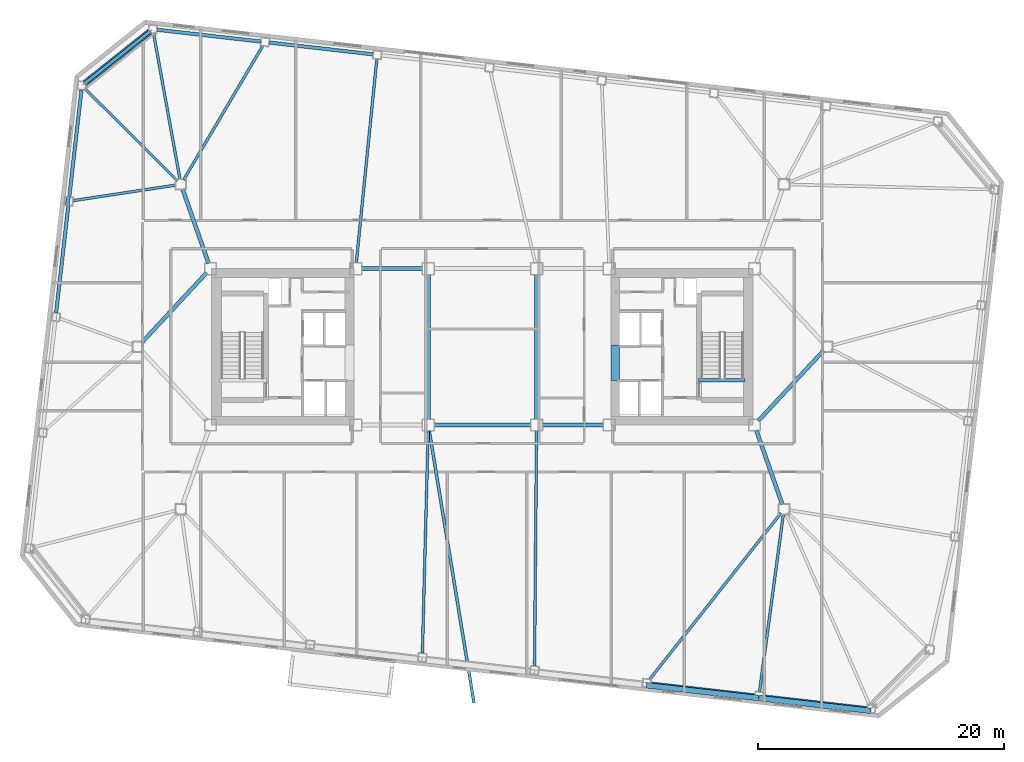
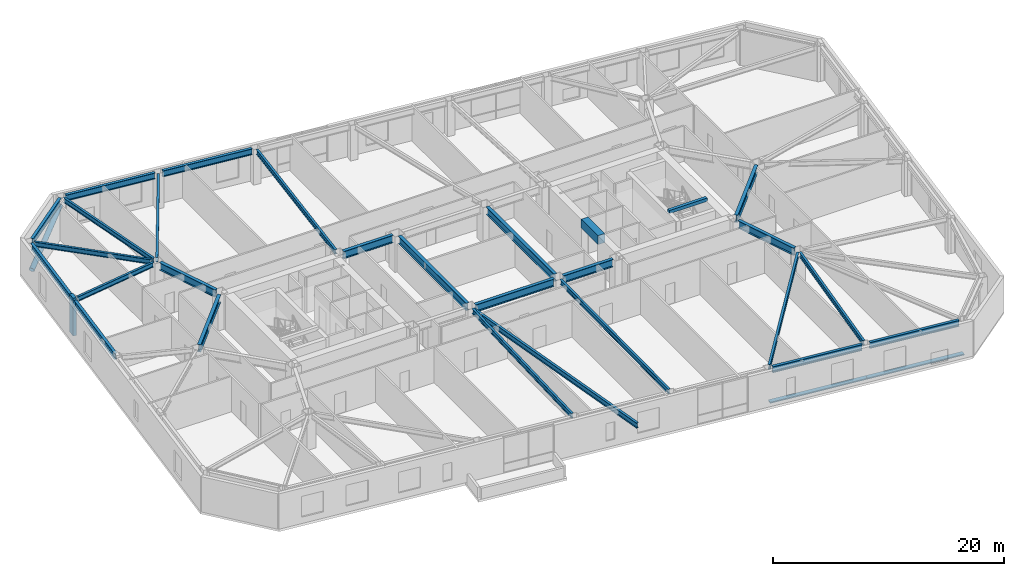
# One storey, part 5 of 20: 28 beams, 4 members.
"""IFC4 building model written with IfcOpenShell, lengths in metres."""

from ifc_helpers import new_model, si_unit, direction, frame, origin, origin_2d, place, context, subcontext, project, spatial, rectangle, hollow_circle, i_section, extrude, material, material_profile, profile_set, type_object, element, save


model = new_model("IFC4")

# Units and contexts
model_context = context("Model", 3, precision=1e-05, world=origin(), true_north=direction((0.0, 1.0)))
body_context = subcontext(model_context, "Body", "Model", "MODEL_VIEW")
ifc_project = project(units=[si_unit("LENGTHUNIT", "METRE"), si_unit("AREAUNIT", "SQUARE_METRE"), si_unit("VOLUMEUNIT", "CUBIC_METRE"), si_unit("PLANEANGLEUNIT", "RADIAN"), si_unit("MASSUNIT", "GRAM", prefix="KILO")], contexts=[model_context])

# Site, building, storey
site_placement = place(None, origin())
site = spatial("IfcSite", under=ifc_project, at=site_placement, CompositionType="ELEMENT")
building_placement = place(site_placement, origin())
building = spatial("IfcBuilding", under=site, at=building_placement, Name="Tavrogorsk Clinical Tower", CompositionType="ELEMENT")
storey_placement = place(building_placement, frame((0.0, 0.0, 105.39990234375)))
storey = spatial("IfcBuildingStorey", under=building, at=storey_placement, Name="L23", CompositionType="ELEMENT", Elevation=105.39990234375)

# Members
ifc_material_1 = material(Name="Anodised aluminium alloy AW-6063", Category="aluminium")
ifc_material_profile_1 = material_profile(ifc_material_1, rectangle(XDim=0.449951171875, YDim=0.1201171875, at=origin_2d()), Name="ALU-SUNSHADE-450x120")
ifc_profile_set_1 = profile_set([ifc_material_profile_1], Name="Anodised aluminium alloy AW-6063")
member_type_1 = type_object("IfcMemberType", Name="ChicagoSunshade_450x120", PredefinedType="USERDEFINED", material=ifc_profile_set_1)
for number, where, z_axis, x_axis, name in (
    (1, (13.326416015625, -27.502197265625, 0.18017578125), (0.993572654864, -0.113196199166, 0.0), (0.113196199166, 0.993572654864, 0.0), "L23 South Aluminium Sunshade S6"),
    (2, (22.444580078125, -28.541015625, 0.18017578125), (0.993572654864, -0.113196199166, 0.0), (0.113196199166, 0.993572654864, 0.0), "L23 South Aluminium Sunshade S7"),
):
    element("IfcMember", number, at=place(storey_placement, frame(where, z_axis=z_axis, x_axis=x_axis)), inside=storey, type_object=member_type_1, Name=name, ObjectType="SUNSHADE", PredefinedType="USERDEFINED", context=body_context, shape_type="SweptSolid", body=[
        extrude(rectangle(XDim=0.449951171875, YDim=0.1201171875, at=origin_2d()), origin(), (0.0, 0.0, 1.0), 9.17724609375),
    ])

# Beam
ifc_material_2 = material(Name="Concrete B80", Category="concrete")
ifc_material_profile_2 = material_profile(ifc_material_2, rectangle(XDim=0.699951171875, YDim=0.949951171875, at=origin_2d()), Name="RC-CB-700x950")
ifc_profile_set_2 = profile_set([ifc_material_profile_2], Name="Concrete B80")
beam_type_1 = type_object("IfcBeamType", Name="CouplingBeam_RC700x950", PredefinedType="LINTEL", material=ifc_profile_set_2)
beam_1_placement = place(storey_placement, frame((10.800048828125, -2.75, 3.26513671875), z_axis=(0.0, 1.0, 0.0), x_axis=(-1.0, 0.0, 0.0)))
element("IfcBeam", 3, at=beam_1_placement, inside=storey, type_object=beam_type_1, Name="L23 Core East Coupling Beam", PredefinedType="LINTEL", context=body_context, shape_type="SweptSolid", body=[
    extrude(rectangle(XDim=0.699951171875, YDim=0.949951171875, at=origin_2d()), origin(), (0.0, 0.0, 1.0), 2.89990234375),
])

# Member
ifc_material_3 = material(Name="Structural steel S440", Category="steel")
ifc_material_profile_3 = material_profile(ifc_material_3, hollow_circle(Radius=0.25390625, WallThickness=0.02001953125, at=origin_2d()), Name="CHS-508x20")
ifc_profile_set_3 = profile_set([ifc_material_profile_3], Name="Structural steel S440")
member_type_2 = type_object("IfcMemberType", Name="ExoBrace_CHS508", PredefinedType="BRACE", material=ifc_profile_set_3)
member_1_placement = place(storey_placement, frame((-32.27587890625, 21.431884765625, 0.425048828125), z_axis=(0.73336936718, 0.583326985798, 0.349140371371), x_axis=(-0.622500682662, 0.782619256143, 0.0)))
element("IfcMember", 4, at=member_1_placement, inside=storey, type_object=member_type_2, Name="L23 Corner Exoskeleton Brace N8-W1", PredefinedType="BRACE", context=body_context, shape_type="SweptSolid", body=[
    extrude(hollow_circle(Radius=0.25390625, WallThickness=0.02001953125, at=origin_2d()), origin(), (0.0, 0.0, 1.0), 7.1318359375),
])

# Beams
ifc_material_4 = material(Name="Structural steel S355", Category="steel")
ifc_material_profile_4 = material_profile(ifc_material_4, i_section(OverallWidth=0.219970703125, OverallDepth=0.5, WebThickness=0.012939453125, FlangeThickness=0.02001953125, at=origin_2d()), Name="B-500x220x13x20")
ifc_profile_set_4 = profile_set([ifc_material_profile_4], Name="Structural steel S355")
beam_type_2 = type_object("IfcBeamType", Name="FloorBeam_B500", PredefinedType="BEAM", material=ifc_profile_set_4)
beam_2_placement = place(storey_placement, frame((-4.411865234375, -6.809814453125, 3.489990234375), z_axis=(-0.025907273598, -0.999664350257, 0.0), x_axis=(0.999664350257, -0.025907273598, 0.0)))
element("IfcBeam", 5, at=beam_2_placement, inside=storey, type_object=beam_type_2, Name="L23 Radial Floor Beam S4", PredefinedType="BEAM", context=body_context, shape_type="SweptSolid", body=[
    extrude(i_section(OverallWidth=0.219970703125, OverallDepth=0.5, WebThickness=0.012939453125, FlangeThickness=0.02001953125, at=origin_2d()), origin(), (0.0, 0.0, 1.0), 18.083984375),
])
beam_3_placement = place(storey_placement, frame((4.39599609375, -6.81005859375, 3.489990234375), z_axis=(-0.00859471964, -0.999963064715, 0.0), x_axis=(0.999963064715, -0.00859471964, 0.0)))
element("IfcBeam", 6, at=beam_3_placement, inside=storey, type_object=beam_type_2, Name="L23 Radial Floor Beam S5", PredefinedType="BEAM", context=body_context, shape_type="SweptSolid", body=[
    extrude(i_section(OverallWidth=0.219970703125, OverallDepth=0.5, WebThickness=0.012939453125, FlangeThickness=0.02001953125, at=origin_2d()), origin(), (0.0, 0.0, 1.0), 19.1171875),
])
beam_4_placement = place(storey_placement, frame((24.245849609375, -13.521728515625, 3.489990234375), z_axis=(-0.619757312108, -0.784793523221, 0.0), x_axis=(0.784793523221, -0.619757312108, 0.0)))
element("IfcBeam", 7, at=beam_4_placement, inside=storey, type_object=beam_type_2, Name="L23 Radial Floor Beam S6", PredefinedType="BEAM", context=body_context, shape_type="SweptSolid", body=[
    extrude(i_section(OverallWidth=0.219970703125, OverallDepth=0.5, WebThickness=0.012939453125, FlangeThickness=0.02001953125, at=origin_2d()), origin(), (0.0, 0.0, 1.0), 17.22802734375),
])
beam_5_placement = place(storey_placement, frame((24.445556640625, -13.6064453125, 3.489990234375), z_axis=(-0.133025440596, -0.991112623345, 0.0), x_axis=(0.991112623345, -0.133025440596, 0.0)))
element("IfcBeam", 8, at=beam_5_placement, inside=storey, type_object=beam_type_2, Name="L23 Radial Floor Beam S7", PredefinedType="BEAM", context=body_context, shape_type="SweptSolid", body=[
    extrude(i_section(OverallWidth=0.219970703125, OverallDepth=0.5, WebThickness=0.012939453125, FlangeThickness=0.02001953125, at=origin_2d()), origin(), (0.0, 0.0, 1.0), 14.530029296875),
])
beam_6_placement = place(storey_placement, frame((-10.25390625, 6.8076171875, 3.489990234375), z_axis=(0.100407035617, 0.994946444387, 0.0), x_axis=(-0.994946444387, 0.100407035617, 0.0)))
element("IfcBeam", 9, at=beam_6_placement, inside=storey, type_object=beam_type_2, Name="L23 Radial Floor Beam N6", PredefinedType="BEAM", context=body_context, shape_type="SweptSolid", body=[
    extrude(i_section(OverallWidth=0.219970703125, OverallDepth=0.5, WebThickness=0.012939453125, FlangeThickness=0.02001953125, at=origin_2d()), origin(), (0.0, 0.0, 1.0), 16.643798828125),
])
beam_7_placement = place(storey_placement, frame((-24.291259765625, 13.552978515625, 3.489990234375), z_axis=(0.508876748392, 0.86083938975, 0.0), x_axis=(-0.86083938975, 0.508876748392, 0.0)))
element("IfcBeam", 10, at=beam_7_placement, inside=storey, type_object=beam_type_2, Name="L23 Radial Floor Beam N7", PredefinedType="BEAM", context=body_context, shape_type="SweptSolid", body=[
    extrude(i_section(OverallWidth=0.219970703125, OverallDepth=0.5, WebThickness=0.012939453125, FlangeThickness=0.02001953125, at=origin_2d()), origin(), (0.0, 0.0, 1.0), 12.663330078125),
])
beam_8_placement = place(storey_placement, frame((-24.572998046875, 13.603515625, 3.489990234375), z_axis=(-0.178287530482, 0.983978432932, 0.0), x_axis=(-0.983978432932, -0.178287530482, 0.0)))
element("IfcBeam", 11, at=beam_8_placement, inside=storey, type_object=beam_type_2, Name="L23 Radial Floor Beam N8", PredefinedType="BEAM", context=body_context, shape_type="SweptSolid", body=[
    extrude(i_section(OverallWidth=0.219970703125, OverallDepth=0.5, WebThickness=0.012939453125, FlangeThickness=0.02001953125, at=origin_2d()), origin(), (0.0, 0.0, 1.0), 12.0380859375),
])
beam_9_placement = place(storey_placement, frame((-24.790283203125, 13.48974609375, 3.489990234375), z_axis=(-0.707775090959, 0.706437839175, 0.0), x_axis=(-0.706437839175, -0.707775090959, 0.0)))
element("IfcBeam", 12, at=beam_9_placement, inside=storey, type_object=beam_type_2, Name="L23 Radial Floor Beam W1", PredefinedType="BEAM", context=body_context, shape_type="SweptSolid", body=[
    extrude(i_section(OverallWidth=0.219970703125, OverallDepth=0.5, WebThickness=0.012939453125, FlangeThickness=0.02001953125, at=origin_2d()), origin(), (0.0, 0.0, 1.0), 10.589111328125),
])
beam_10_placement = place(storey_placement, frame((-24.905517578125, 13.138671875, 3.489990234375), z_axis=(-0.98878314082, -0.149358295482, 0.0), x_axis=(0.149358295482, -0.98878314082, 0.0)))
element("IfcBeam", 13, at=beam_10_placement, inside=storey, type_object=beam_type_2, Name="L23 Radial Floor Beam W2", PredefinedType="BEAM", context=body_context, shape_type="SweptSolid", body=[
    extrude(i_section(OverallWidth=0.219970703125, OverallDepth=0.5, WebThickness=0.012939453125, FlangeThickness=0.02001953125, at=origin_2d()), origin(), (0.0, 0.0, 1.0), 8.4443359375),
])

# Member
ifc_material_5 = material(Name="Precast concrete B45 with limestone cladding", Category="masonry")
ifc_material_profile_5 = material_profile(ifc_material_5, rectangle(XDim=0.320068359375, YDim=0.719970703125, at=origin_2d()), Name="LIMESTONE-FIN-320x720")
ifc_profile_set_5 = profile_set([ifc_material_profile_5], Name="Precast concrete B45 with limestone cladding")
member_type_3 = type_object("IfcMemberType", Name="LimestonePleatFin_320x720", PredefinedType="USERDEFINED", material=ifc_profile_set_5)
member_2_placement = place(storey_placement, frame((-33.688720703125, 11.8330078125, 0.0), z_axis=(0.0, 0.0, 1.0), x_axis=(0.993571855677, -0.113203213768, 0.0)))
element("IfcMember", 14, at=member_2_placement, inside=storey, type_object=member_type_3, Name="L23 W Pleated Stone Fin 1", ObjectType="FIN", PredefinedType="USERDEFINED", context=body_context, shape_type="SweptSolid", body=[
    extrude(rectangle(XDim=0.320068359375, YDim=0.719970703125, at=origin_2d()), origin(), (0.0, 0.0, 1.0), 4.0),
])

# Beams
ifc_material_6 = material(Name="Structural steel S390", Category="steel")
ifc_material_profile_6 = material_profile(ifc_material_6, i_section(OverallWidth=0.320068359375, OverallDepth=0.800048828125, WebThickness=0.02001953125, FlangeThickness=0.033935546875, at=origin_2d()), Name="B-800x320x20x34")
ifc_profile_set_6 = profile_set([ifc_material_profile_6], Name="Structural steel S390")
beam_type_3 = type_object("IfcBeamType", Name="PrimaryGirder_B800", PredefinedType="USERDEFINED", material=ifc_profile_set_6)
beam_11_placement = place(storey_placement, frame((-9.840087890625, 6.35009765625, 3.340087890625), z_axis=(1.0, 0.0, 0.0), x_axis=(0.0, 1.0, 0.0)))
element("IfcBeam", 15, at=beam_11_placement, inside=storey, type_object=beam_type_3, Name="L23 Primary Spine Girder MG-02", ObjectType="GIRDER", PredefinedType="USERDEFINED", context=body_context, shape_type="SweptSolid", body=[
    extrude(i_section(OverallWidth=0.320068359375, OverallDepth=0.800048828125, WebThickness=0.02001953125, FlangeThickness=0.033935546875, at=origin_2d()), origin(), (0.0, 0.0, 1.0), 4.97998046875),
])
beam_12_placement = place(storey_placement, frame((-3.93994140625, -6.35009765625, 3.340087890625), z_axis=(1.0, 0.0, 0.0), x_axis=(0.0, 1.0, 0.0)))
element("IfcBeam", 16, at=beam_12_placement, inside=storey, type_object=beam_type_3, Name="L23 Primary Spine Girder MG-03", ObjectType="GIRDER", PredefinedType="USERDEFINED", context=body_context, shape_type="SweptSolid", body=[
    extrude(i_section(OverallWidth=0.320068359375, OverallDepth=0.800048828125, WebThickness=0.02001953125, FlangeThickness=0.033935546875, at=origin_2d()), origin(), (0.0, 0.0, 1.0), 7.8798828125),
])
beam_13_placement = place(storey_placement, frame((4.860107421875, -6.35009765625, 3.340087890625), z_axis=(1.0, 0.0, 0.0), x_axis=(0.0, 1.0, 0.0)))
element("IfcBeam", 17, at=beam_13_placement, inside=storey, type_object=beam_type_3, Name="L23 Primary Spine Girder MG-05", ObjectType="GIRDER", PredefinedType="USERDEFINED", context=body_context, shape_type="SweptSolid", body=[
    extrude(i_section(OverallWidth=0.320068359375, OverallDepth=0.800048828125, WebThickness=0.02001953125, FlangeThickness=0.033935546875, at=origin_2d()), origin(), (0.0, 0.0, 1.0), 4.97998046875),
])
for number, where, z_axis, x_axis, name in (
    (18, (-4.39990234375, -5.889892578125, 3.340087890625), (0.0, 1.0, 0.0), (-1.0, 0.0, 0.0), "L23 Primary Spine Girder MG-07"),
    (19, (4.39990234375, -5.889892578125, 3.340087890625), (0.0, 1.0, 0.0), (-1.0, 0.0, 0.0), "L23 Primary Spine Girder MG-08"),
):
    element("IfcBeam", number, at=place(storey_placement, frame(where, z_axis=z_axis, x_axis=x_axis)), inside=storey, type_object=beam_type_3, Name=name, ObjectType="GIRDER", PredefinedType="USERDEFINED", context=body_context, shape_type="SweptSolid", body=[
        extrude(i_section(OverallWidth=0.320068359375, OverallDepth=0.800048828125, WebThickness=0.02001953125, FlangeThickness=0.033935546875, at=origin_2d()), origin(), (0.0, 0.0, 1.0), 11.77978515625),
    ])
for number, where, z_axis, x_axis, name in (
    (20, (24.364501953125, -12.81298828125, 3.340087890625), (-0.330660234815, 0.943749865755, 0.0), (-0.943749865755, -0.330660234815, 0.0), "L23 Spine Link Girder OPG-2"),
    (21, (-24.364501953125, 12.81298828125, 3.340087890625), (0.330660234815, -0.943749865755, 0.0), (0.943749865755, 0.330660234815, 0.0), "L23 Spine Link Girder OPG-3"),
):
    element("IfcBeam", number, at=place(storey_placement, frame(where, z_axis=z_axis, x_axis=x_axis)), inside=storey, type_object=beam_type_3, Name=name, ObjectType="GIRDER", PredefinedType="USERDEFINED", context=body_context, shape_type="SweptSolid", body=[
        extrude(i_section(OverallWidth=0.320068359375, OverallDepth=0.800048828125, WebThickness=0.02001953125, FlangeThickness=0.033935546875, at=origin_2d()), origin(), (0.0, 0.0, 1.0), 6.38818359375),
    ])
for number, where, z_axis, x_axis, name in (
    (22, (-27.720947265625, 0.30029296875, 3.340087890625), (0.680675630035, 0.732584934787, 0.0), (-0.732584934787, 0.680675630035, 0.0), "L23 Spine Link Girder OPG-6"),
    (23, (27.720947265625, -0.30029296875, 3.340087890625), (-0.680675630035, -0.732584934787, 0.0), (0.732584934787, -0.680675630035, 0.0), "L23 Spine Link Girder OPG-7"),
):
    element("IfcBeam", number, at=place(storey_placement, frame(where, z_axis=z_axis, x_axis=x_axis)), inside=storey, type_object=beam_type_3, Name=name, ObjectType="GIRDER", PredefinedType="USERDEFINED", context=body_context, shape_type="SweptSolid", body=[
        extrude(i_section(OverallWidth=0.320068359375, OverallDepth=0.800048828125, WebThickness=0.02001953125, FlangeThickness=0.033935546875, at=origin_2d()), origin(), (0.0, 0.0, 1.0), 7.7978515625),
    ])
ifc_material_7 = material(Name="Structural steel S390", Category="steel")
ifc_material_profile_7 = material_profile(ifc_material_7, i_section(OverallWidth=0.239990234375, OverallDepth=0.550048828125, WebThickness=0.013916015625, FlangeThickness=0.02197265625, at=origin_2d()), Name="B-550x240x14x22")
ifc_profile_set_7 = profile_set([ifc_material_profile_7], Name="Structural steel S390")
beam_type_4 = type_object("IfcBeamType", Name="SpandrelBeam_B550", PredefinedType="SPANDREL", material=ifc_profile_set_7)
beam_14_placement = place(storey_placement, frame((-4.325439453125, -6.803955078125, 3.445068359375), z_axis=(0.162152126486, -0.986765771536, 0.0), x_axis=(0.986765771536, 0.162152126486, 0.0)))
element("IfcBeam", 24, at=beam_14_placement, inside=storey, type_object=beam_type_4, Name="L24 Spiral Terrace Cantilever Beam 2", PredefinedType="SPANDREL", context=body_context, shape_type="SweptSolid", body=[
    extrude(i_section(OverallWidth=0.239990234375, OverallDepth=0.550048828125, WebThickness=0.013916015625, FlangeThickness=0.02197265625, at=origin_2d()), origin(), (0.0, 0.0, 1.0), 22.417236328125),
])
ifc_material_8 = material(Name="Structural steel S390", Category="steel")
ifc_material_profile_8 = material_profile(ifc_material_8, i_section(OverallWidth=0.280029296875, OverallDepth=0.64990234375, WebThickness=0.01611328125, FlangeThickness=0.02490234375, at=origin_2d()), Name="B-650x280x16x25")
ifc_profile_set_8 = profile_set([ifc_material_profile_8], Name="Structural steel S390")
beam_type_5 = type_object("IfcBeamType", Name="SpandrelBeam_B650", PredefinedType="SPANDREL", material=ifc_profile_set_8)
beam_15_placement = place(storey_placement, frame((13.702392578125, -27.36376953125, 3.4150390625), z_axis=(0.993569819641, -0.113221082395, 0.0), x_axis=(0.113221082395, 0.993569819641, 0.0)))
element("IfcBeam", 25, at=beam_15_placement, inside=storey, type_object=beam_type_5, Name="L23 Perimeter Spandrel S6-S7", PredefinedType="SPANDREL", context=body_context, shape_type="SweptSolid", body=[
    extrude(i_section(OverallWidth=0.280029296875, OverallDepth=0.64990234375, WebThickness=0.01611328125, FlangeThickness=0.02490234375, at=origin_2d()), origin(), (0.0, 0.0, 1.0), 8.46142578125),
])
beam_16_placement = place(storey_placement, frame((22.82080078125, -28.40283203125, 3.4150390625), z_axis=(0.99357232562, -0.113199089054, 0.0), x_axis=(0.113199089054, 0.99357232562, 0.0)))
element("IfcBeam", 26, at=beam_16_placement, inside=storey, type_object=beam_type_5, Name="L23 Perimeter Spandrel S7-S8", PredefinedType="SPANDREL", context=body_context, shape_type="SweptSolid", body=[
    extrude(i_section(OverallWidth=0.280029296875, OverallDepth=0.64990234375, WebThickness=0.01611328125, FlangeThickness=0.02490234375, at=origin_2d()), origin(), (0.0, 0.0, 1.0), 8.4609375),
])
for number, where, z_axis, x_axis, name in (
    (27, (-8.902587890625, 23.763916015625, 3.4150390625), (-0.993572695356, 0.113195843756, 0.0), (-0.113195843756, -0.993572695356, 0.0), "L23 Perimeter Spandrel N6-N7"),
    (28, (-18.020751953125, 24.802734375, 3.4150390625), (-0.993572695356, 0.113195843756, 0.0), (-0.113195843756, -0.993572695356, 0.0), "L23 Perimeter Spandrel N7-N8"),
):
    element("IfcBeam", number, at=place(storey_placement, frame(where, z_axis=z_axis, x_axis=x_axis)), inside=storey, type_object=beam_type_5, Name=name, PredefinedType="SPANDREL", context=body_context, shape_type="SweptSolid", body=[
        extrude(i_section(OverallWidth=0.280029296875, OverallDepth=0.64990234375, WebThickness=0.01611328125, FlangeThickness=0.02490234375, at=origin_2d()), origin(), (0.0, 0.0, 1.0), 8.461181640625),
    ])
beam_17_placement = place(storey_placement, frame((-27.063232421875, 25.578125, 3.4150390625), z_axis=(-0.782613271493, -0.622508206599, 0.0), x_axis=(0.622508206599, -0.782613271493, 0.0)))
element("IfcBeam", 29, at=beam_17_placement, inside=storey, type_object=beam_type_5, Name="L23 Perimeter Spandrel N8-W1", PredefinedType="SPANDREL", context=body_context, shape_type="SweptSolid", body=[
    extrude(i_section(OverallWidth=0.280029296875, OverallDepth=0.64990234375, WebThickness=0.01611328125, FlangeThickness=0.02490234375, at=origin_2d()), origin(), (0.0, 0.0, 1.0), 6.6376953125),
])
for number, where, z_axis, x_axis, name in (
    (30, (-32.578857421875, 20.867431640625, 3.4150390625), (-0.113192226434, -0.993573107464, 0.0), (0.993573107464, -0.113192226434, 0.0), "L23 Perimeter Spandrel W1-W2"),
    (31, (-33.649658203125, 11.46826171875, 3.4150390625), (-0.113219789686, -0.993569966949, 0.0), (0.993569966949, -0.113219789686, 0.0), "L23 Perimeter Spandrel W2-W3"),
):
    element("IfcBeam", number, at=place(storey_placement, frame(where, z_axis=z_axis, x_axis=x_axis)), inside=storey, type_object=beam_type_5, Name=name, PredefinedType="SPANDREL", context=body_context, shape_type="SweptSolid", body=[
        extrude(i_section(OverallWidth=0.280029296875, OverallDepth=0.64990234375, WebThickness=0.01611328125, FlangeThickness=0.02490234375, at=origin_2d()), origin(), (0.0, 0.0, 1.0), 8.743896484375),
    ])
ifc_material_9 = material(Name="Concrete B60", Category="concrete")
ifc_material_profile_9 = material_profile(ifc_material_9, rectangle(XDim=0.300048828125, YDim=0.35009765625, at=origin_2d()), Name="RC-SHB-300x350")
ifc_profile_set_9 = profile_set([ifc_material_profile_9], Name="Concrete B60")
beam_type_6 = type_object("IfcBeamType", Name="StairHeaderBeam_RC300x350", PredefinedType="BEAM", material=ifc_profile_set_9)
beam_18_placement = place(storey_placement, frame((17.550048828125, -2.719970703125, 3.8251953125), z_axis=(1.0, 0.0, 0.0), x_axis=(0.0, 1.0, 0.0)))
element("IfcBeam", 32, at=beam_18_placement, inside=storey, type_object=beam_type_6, Name="L24 ST-E Landing Header Beam", PredefinedType="BEAM", context=body_context, shape_type="SweptSolid", body=[
    extrude(rectangle(XDim=0.300048828125, YDim=0.35009765625, at=origin_2d()), origin(), (0.0, 0.0, 1.0), 3.800048828125),
])

save(model, "model.ifc")
